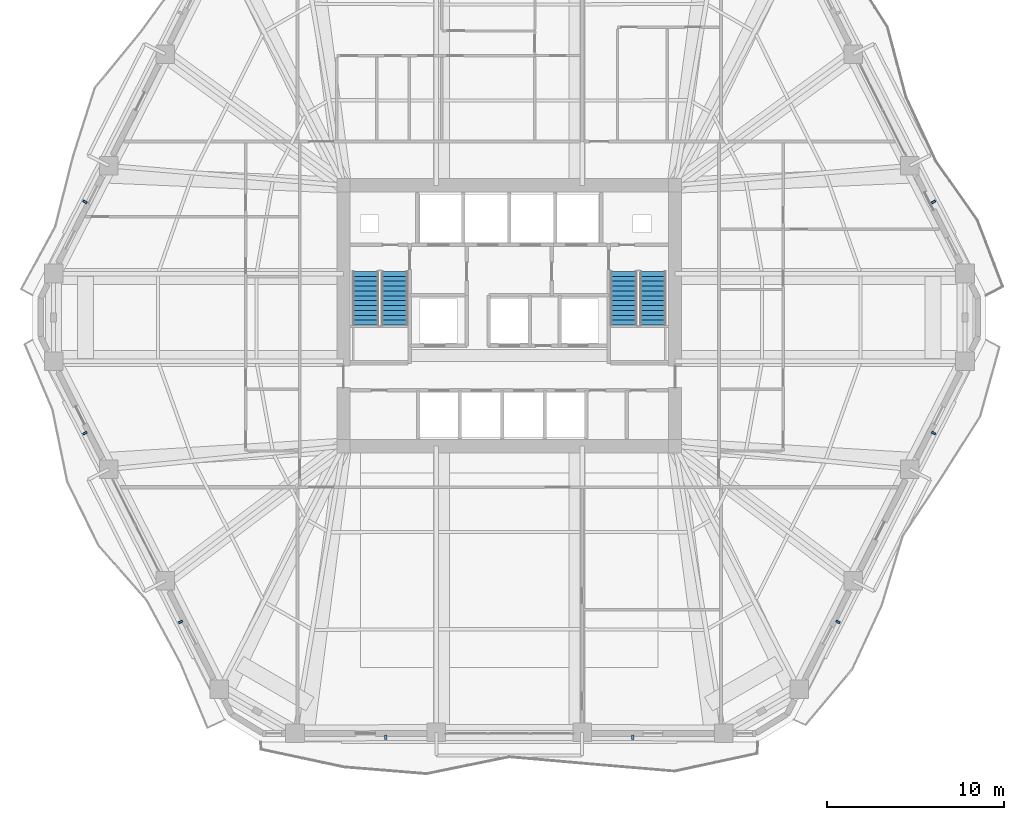
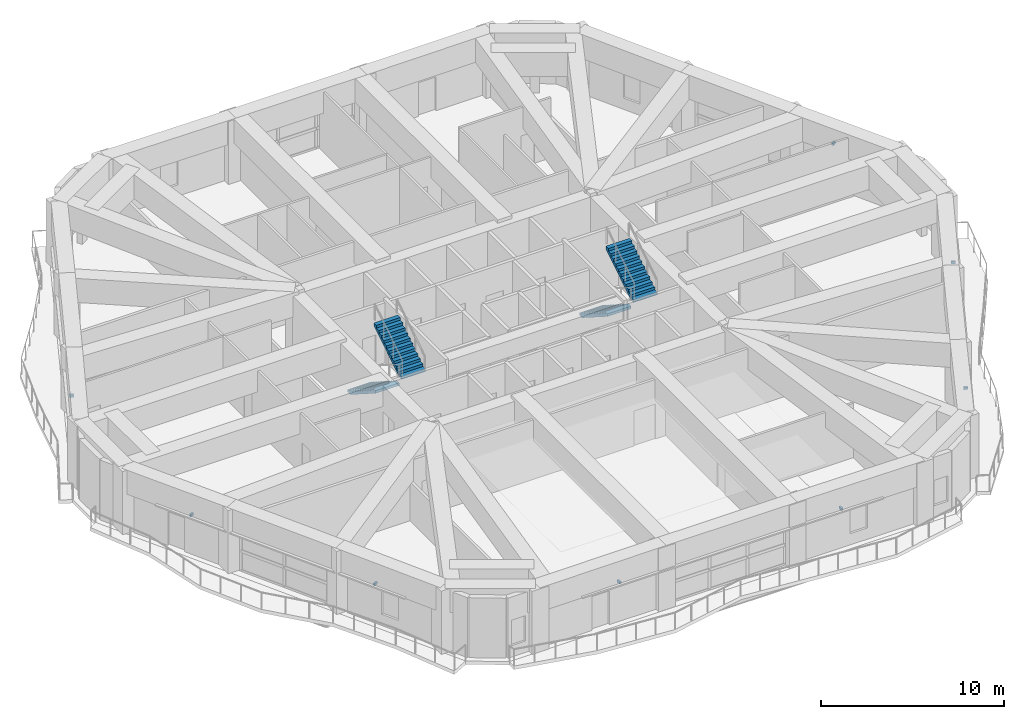
# One storey, part 18 of 23: 8 discrete accessories, 4 stair flights, 2 elements without a shape of their own.
"""IFC4 building model written with IfcOpenShell, lengths in metres."""

from ifc_helpers import new_model, si_unit, direction, frame, origin, origin_2d, place, context, subcontext, project, spatial, polyline, rectangle, outline, extrude, material, type_object, element, aggregate, save


model = new_model("IFC4")

# Units and contexts
model_context = context("Model", 3, precision=1e-05, world=origin(), true_north=direction((0.0, 1.0)))
body_context = subcontext(model_context, "Body", "Model", "MODEL_VIEW")
ifc_project = project(units=[si_unit("LENGTHUNIT", "METRE"), si_unit("AREAUNIT", "SQUARE_METRE"), si_unit("VOLUMEUNIT", "CUBIC_METRE"), si_unit("PLANEANGLEUNIT", "RADIAN"), si_unit("MASSUNIT", "GRAM", prefix="KILO")], contexts=[model_context])

# Site, building, storey
site_placement = place(None, origin())
site = spatial("IfcSite", under=ifc_project, at=site_placement, CompositionType="ELEMENT")
building_placement = place(site_placement, origin())
building = spatial("IfcBuilding", under=site, at=building_placement, Name="Cinnabar Lancet Tower", CompositionType="ELEMENT")
storey_placement = place(building_placement, frame((0.0, 0.0, 94.199951171875)))
storey = spatial("IfcBuildingStorey", under=building, at=storey_placement, Name="L24", CompositionType="ELEMENT", Elevation=94.199951171875)

# Stair, stair flights
ifc_material_1 = material(Name="Concrete C40/50", Category="concrete")
stair_type = type_object("IfcStairType", Name="ST-CORE", PredefinedType="HALF_TURN_STAIR", material=ifc_material_1)
stair_1_placement = place(storey_placement, origin())
stair_1 = element("IfcStair", 1, at=stair_1_placement, inside=storey, type_object=stair_type, Name="L24 ST-1", PredefinedType="HALF_TURN_STAIR")
ifc_material_2 = material(Name="Concrete C40/50", Category="concrete")
stair_flight_type = type_object("IfcStairFlightType", Name="FLIGHT-CORE", PredefinedType="STRAIGHT", material=ifc_material_2)
stair_flight_1_placement = place(storey_placement, frame((24.27490234375, 28.39990234375, 0.0), z_axis=(0.0, 0.0, 1.0), x_axis=(0.0, -1.0, 0.0)))
stair_flight_1 = element("IfcStairFlight", 2, at=stair_flight_1_placement, type_object=stair_flight_type, Name="ST-1 flight 1", NumberOfRisers=12, NumberOfTreads=11, PredefinedType="STRAIGHT", RiserHeight=0.175, TreadLength=0.275, context=body_context, shape_type="SweptSolid", body=[
    extrude(outline(polyline([(0.0, 0.0), (0.0, 0.175048828125), (0.27490234375, 0.175048828125), (0.27490234375, 0.35009765625), (0.550048828125, 0.35009765625), (0.550048828125, 0.52490234375), (0.824951171875, 0.52490234375), (0.824951171875, 0.699951171875), (1.10009765625, 0.699951171875), (1.10009765625, 0.875), (1.375, 0.875), (1.375, 1.050048828125), (1.64990234375, 1.050048828125), (1.64990234375, 1.22509765625), (1.925048828125, 1.22509765625), (1.925048828125, 1.39990234375), (2.199951171875, 1.39990234375), (2.199951171875, 1.574951171875), (2.47509765625, 1.574951171875), (2.47509765625, 1.75), (2.75, 1.75), (2.75, 1.925048828125), (3.02490234375, 1.925048828125), (3.02490234375, 2.10009765625), (3.02490234375, 1.747314453125), (0.279296875, 0.0), (0.0, 0.0)])), frame((0.0, 0.75, 0.0), z_axis=(0.0, -1.0, 0.0), x_axis=(1.0, 0.0, 0.0)), (0.0, 0.0, 1.0), 1.5),
])
stair_flight_2_placement = place(storey_placement, frame((25.925048828125, 25.375, 2.10009765625), z_axis=(0.0, 0.0, 1.0), x_axis=(0.0, 1.0, 0.0)))
stair_flight_2 = element("IfcStairFlight", 3, at=stair_flight_2_placement, type_object=stair_flight_type, Name="ST-1 flight 2", NumberOfRisers=12, NumberOfTreads=11, PredefinedType="STRAIGHT", RiserHeight=0.175, TreadLength=0.275, context=body_context, shape_type="SweptSolid", body=[
    extrude(outline(polyline([(0.0, 0.0), (0.0, 0.175048828125), (0.27490234375, 0.175048828125), (0.27490234375, 0.35009765625), (0.550048828125, 0.35009765625), (0.550048828125, 0.52490234375), (0.824951171875, 0.52490234375), (0.824951171875, 0.699951171875), (1.10009765625, 0.699951171875), (1.10009765625, 0.875), (1.375, 0.875), (1.375, 1.050048828125), (1.64990234375, 1.050048828125), (1.64990234375, 1.22509765625), (1.925048828125, 1.22509765625), (1.925048828125, 1.39990234375), (2.199951171875, 1.39990234375), (2.199951171875, 1.574951171875), (2.47509765625, 1.574951171875), (2.47509765625, 1.75), (2.75, 1.75), (2.75, 1.925048828125), (3.02490234375, 1.925048828125), (3.02490234375, 2.10009765625), (3.02490234375, 1.747314453125), (0.279296875, 0.0), (0.0, 0.0)])), frame((0.0, 0.75, 0.0), z_axis=(0.0, -1.0, 0.0), x_axis=(1.0, 0.0, 0.0)), (0.0, 0.0, 1.0), 1.5),
])
aggregate(stair_1, [stair_flight_1, stair_flight_2])

stair_2_placement = place(storey_placement, origin())
stair_2 = element("IfcStair", 4, at=stair_2_placement, inside=storey, type_object=stair_type, Name="L24 ST-2", PredefinedType="HALF_TURN_STAIR")
stair_flight_3_placement = place(storey_placement, frame((38.875, 28.39990234375, 0.0), z_axis=(0.0, 0.0, 1.0), x_axis=(0.0, -1.0, 0.0)))
stair_flight_3 = element("IfcStairFlight", 5, at=stair_flight_3_placement, type_object=stair_flight_type, Name="ST-2 flight 1", NumberOfRisers=12, NumberOfTreads=11, PredefinedType="STRAIGHT", RiserHeight=0.175, TreadLength=0.275, context=body_context, shape_type="SweptSolid", body=[
    extrude(outline(polyline([(0.0, 0.0), (0.0, 0.175048828125), (0.27490234375, 0.175048828125), (0.27490234375, 0.35009765625), (0.550048828125, 0.35009765625), (0.550048828125, 0.52490234375), (0.824951171875, 0.52490234375), (0.824951171875, 0.699951171875), (1.10009765625, 0.699951171875), (1.10009765625, 0.875), (1.375, 0.875), (1.375, 1.050048828125), (1.64990234375, 1.050048828125), (1.64990234375, 1.22509765625), (1.925048828125, 1.22509765625), (1.925048828125, 1.39990234375), (2.199951171875, 1.39990234375), (2.199951171875, 1.574951171875), (2.47509765625, 1.574951171875), (2.47509765625, 1.75), (2.75, 1.75), (2.75, 1.925048828125), (3.02490234375, 1.925048828125), (3.02490234375, 2.10009765625), (3.02490234375, 1.747314453125), (0.279296875, 0.0), (0.0, 0.0)])), frame((0.0, 0.75, 0.0), z_axis=(0.0, -1.0, 0.0), x_axis=(1.0, 0.0, 0.0)), (0.0, 0.0, 1.0), 1.5),
])
stair_flight_4_placement = place(storey_placement, frame((40.52490234375, 25.375, 2.10009765625), z_axis=(0.0, 0.0, 1.0), x_axis=(0.0, 1.0, 0.0)))
stair_flight_4 = element("IfcStairFlight", 6, at=stair_flight_4_placement, type_object=stair_flight_type, Name="ST-2 flight 2", NumberOfRisers=12, NumberOfTreads=11, PredefinedType="STRAIGHT", RiserHeight=0.175, TreadLength=0.275, context=body_context, shape_type="SweptSolid", body=[
    extrude(outline(polyline([(0.0, 0.0), (0.0, 0.175048828125), (0.27490234375, 0.175048828125), (0.27490234375, 0.35009765625), (0.550048828125, 0.35009765625), (0.550048828125, 0.52490234375), (0.824951171875, 0.52490234375), (0.824951171875, 0.699951171875), (1.10009765625, 0.699951171875), (1.10009765625, 0.875), (1.375, 0.875), (1.375, 1.050048828125), (1.64990234375, 1.050048828125), (1.64990234375, 1.22509765625), (1.925048828125, 1.22509765625), (1.925048828125, 1.39990234375), (2.199951171875, 1.39990234375), (2.199951171875, 1.574951171875), (2.47509765625, 1.574951171875), (2.47509765625, 1.75), (2.75, 1.75), (2.75, 1.925048828125), (3.02490234375, 1.925048828125), (3.02490234375, 2.10009765625), (3.02490234375, 1.747314453125), (0.279296875, 0.0), (0.0, 0.0)])), frame((0.0, 0.75, 0.0), z_axis=(0.0, -1.0, 0.0), x_axis=(1.0, 0.0, 0.0)), (0.0, 0.0, 1.0), 1.5),
])
aggregate(stair_2, [stair_flight_3, stair_flight_4])

# Discrete accessories
ifc_material_3 = material(Name="Stainless steel 316 facade fixing bracket", Category="steel")
discrete_accessory_type = type_object("IfcDiscreteAccessoryType", Name="ENV-ACC-BRK-180", PredefinedType="BRACKET", material=ifc_material_3)
for number, where, z_axis, x_axis, name in (
    (7, (25.41796875, 2.070068359375, 2.60009765625), (0.0, 0.0, 1.0), (1.0, 0.0, 0.0), "L24 Face 1 Sunshade Bracket A"),
    (8, (39.382080078125, 2.070068359375, 2.60009765625), (0.0, 0.0, 1.0), (1.0, 0.0, 0.0), "L24 Face 1 Sunshade Bracket B"),
    (9, (50.986083984375, 8.5849609375, 2.60009765625), (0.0, 0.0, 1.0), (0.451500573218, 0.892270829056, 0.0), "L24 Face 2 Sunshade Bracket A"),
    (10, (56.389892578125, 19.262939453125, 2.60009765625), (0.0, 0.0, 1.0), (0.451500573218, 0.892270829056, 0.0), "L24 Face 2 Sunshade Bracket B"),
    (11, (56.389892578125, 32.3369140625, 2.60009765625), (0.0, 0.0, 1.0), (-0.451500573218, 0.892270829056, 0.0), "L24 Face 3 Sunshade Bracket A"),
    (12, (8.409912109375, 32.3369140625, 2.60009765625), (0.0, 0.0, 1.0), (-0.451500573218, -0.892270829056, 0.0), "L24 Face 5 Sunshade Bracket B"),
    (13, (8.409912109375, 19.262939453125, 2.60009765625), (0.0, 0.0, 1.0), (0.451500573218, -0.892270829056, 0.0), "L24 Face 6 Sunshade Bracket A"),
    (14, (13.81396484375, 8.5849609375, 2.60009765625), (0.0, 0.0, 1.0), (0.451500573218, -0.892270829056, 0.0), "L24 Face 6 Sunshade Bracket B"),
):
    element("IfcDiscreteAccessory", number, at=place(storey_placement, frame(where, z_axis=z_axis, x_axis=x_axis)), inside=storey, type_object=discrete_accessory_type, Name=name, PredefinedType="BRACKET", context=body_context, shape_type="SweptSolid", body=[
        extrude(rectangle(XDim=0.1201171875, YDim=0.239990234375, at=origin_2d()), origin(), (0.0, 0.0, 1.0), 0.159912109375),
    ])

save(model, "model.ifc")
